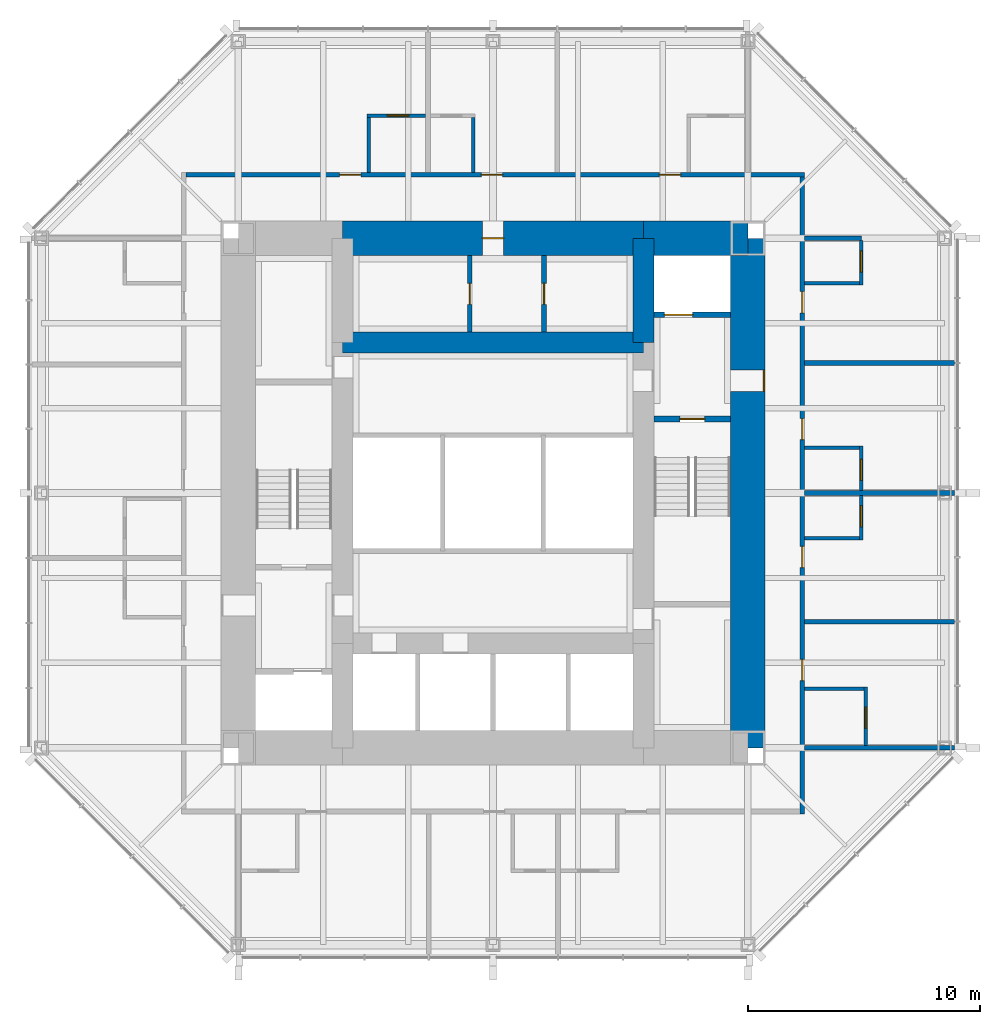
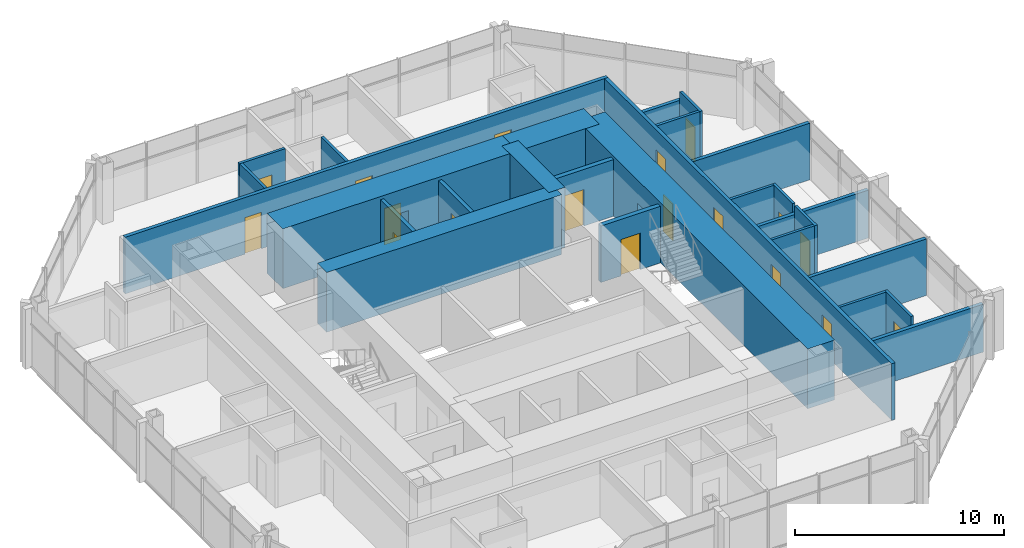
# One storey, part 9 of 11: 27 walls, 18 doors, 18 openings.
"""IFC4 building model written with IfcOpenShell, lengths in metres."""

from ifc_helpers import new_model, si_unit, direction, frame, frame_2d, origin, place, context, subcontext, project, spatial, rectangle, extrude, material, layer, layer_set, type_object, element, fill, save


model = new_model("IFC4")

# Units and contexts
model_context = context("Model", 3, precision=1e-05, world=origin(), true_north=direction((0.0, 1.0)))
body_context = subcontext(model_context, "Body", "Model", "MODEL_VIEW")
ifc_project = project(units=[si_unit("LENGTHUNIT", "METRE"), si_unit("AREAUNIT", "SQUARE_METRE"), si_unit("VOLUMEUNIT", "CUBIC_METRE"), si_unit("PLANEANGLEUNIT", "RADIAN"), si_unit("MASSUNIT", "GRAM", prefix="KILO")], contexts=[model_context])

# Site, building, storey
site_placement = place(None, origin())
site = spatial("IfcSite", under=ifc_project, at=site_placement, CompositionType="ELEMENT")
building_placement = place(site_placement, origin())
building = spatial("IfcBuilding", under=site, at=building_placement, Name="Trevanion Tower", CompositionType="ELEMENT")
storey_placement = place(building_placement, frame((0.0, 0.0, 211.699951171875)))
storey = spatial("IfcBuildingStorey", under=building, at=storey_placement, Name="L50", CompositionType="ELEMENT", Elevation=211.699951171875)

# Wall, opening, door
ifc_material_1 = material(Name="Concrete 10,000 psi", Category="concrete")
ifc_layer_1 = layer(ifc_material_1, 1.5)
ifc_layer_set_1 = layer_set([ifc_layer_1], Name="CW1 core wall 1500")
wall_type_1 = type_object("IfcWallType", Name="CW1 core wall 1500", PredefinedType="SHEAR", material=ifc_layer_set_1)
wall_1_placement = place(storey_placement, frame((11.0, -11.0, 0.0), z_axis=(0.0, 0.0, 1.0), x_axis=(0.0, 1.0, 0.0)))
wall_1 = element("IfcWall", 1, at=wall_1_placement, inside=storey, type_object=wall_type_1, Name="CW1 CE L50", PredefinedType="SHEAR", context=body_context, shape_type="SweptSolid", body=[
    extrude(rectangle(XDim=22.0, YDim=1.5, at=frame_2d((11.0, 0.0))), origin(), (0.0, 0.0, 1.0), 3.5),
])
opening_1_placement = place(wall_1_placement, frame((15.392578125, 0.0, 0.0)))
opening_1 = element("IfcOpeningElement", 2, at=opening_1_placement, cuts=wall_1, Name="Opening 50-001", PredefinedType="OPENING", context=body_context, shape_type="SweptSolid", body=[
    extrude(rectangle(XDim=0.9150390625, YDim=2.134033203125, at=frame_2d((0.45751953125, 1.06689453125))), frame((0.0, 0.760009765625, 0.0), z_axis=(0.0, -1.0, 0.0), x_axis=(1.0, 0.0, 0.0)), (0.0, 0.0, 1.0), 1.52001953125),
])
ifc_material_2 = material(Name="Hollow metal, fire rated", Category="steel")
door_type_1 = type_object("IfcDoorType", Name="D3 fire lift lobby door", OperationType="SINGLE_SWING_RIGHT", PredefinedType="DOOR", material=ifc_material_2)
door_1_placement = place(opening_1_placement, origin())
door_1 = element("IfcDoor", 3, at=door_1_placement, inside=storey, type_object=door_type_1, Name="Door 50-001", OperationType="SINGLE_SWING_RIGHT", OverallHeight=2.134033203125, OverallWidth=0.9150390625, PredefinedType="DOOR", context=body_context, shape_type="SweptSolid", body=[
    extrude(rectangle(XDim=0.9150390625, YDim=2.134033203125, at=frame_2d((0.45751953125, 1.06689453125))), frame((0.0, -0.6748046875, 0.0), z_axis=(0.0, -1.0, 0.0), x_axis=(1.0, 0.0, 0.0)), (0.0, 0.0, 1.0), 0.050048828125),
])
fill(opening_1, door_1)

# Wall
wall_2_placement = place(storey_placement, frame((11.0, 11.0, 0.0), z_axis=(0.0, 0.0, 1.0), x_axis=(-1.0, 0.0, 0.0)))
element("IfcWall", 4, at=wall_2_placement, inside=storey, type_object=wall_type_1, Name="CW1 CN1 L50", PredefinedType="SHEAR", context=body_context, shape_type="SweptSolid", body=[
    extrude(rectangle(XDim=4.5, YDim=1.5, at=frame_2d((2.25, 0.0))), origin(), (0.0, 0.0, 1.0), 3.5),
])

# Wall, opening, door
wall_3_placement = place(storey_placement, frame((6.5, 11.0, 0.0), z_axis=(0.0, 0.0, 1.0), x_axis=(-1.0, 0.0, 0.0)))
wall_3 = element("IfcWall", 5, at=wall_3_placement, inside=storey, type_object=wall_type_1, Name="CW1 CN2 L50", PredefinedType="SHEAR", context=body_context, shape_type="SweptSolid", body=[
    extrude(rectangle(XDim=13.0, YDim=1.5, at=frame_2d((6.5, 0.0))), origin(), (0.0, 0.0, 1.0), 3.5),
])
opening_2_placement = place(wall_3_placement, frame((6.04248046875, 0.0, 0.0)))
opening_2 = element("IfcOpeningElement", 6, at=opening_2_placement, cuts=wall_3, Name="Opening 50-013", PredefinedType="OPENING", context=body_context, shape_type="SweptSolid", body=[
    extrude(rectangle(XDim=0.9150390625, YDim=2.134033203125, at=frame_2d((0.45751953125, 1.06689453125))), frame((0.0, 0.760009765625, 0.0), z_axis=(0.0, -1.0, 0.0), x_axis=(1.0, 0.0, 0.0)), (0.0, 0.0, 1.0), 1.52001953125),
])
ifc_material_3 = material(Name="Hollow metal, fire rated", Category="steel")
door_type_2 = type_object("IfcDoorType", Name="D5 service room door", OperationType="SINGLE_SWING_RIGHT", PredefinedType="DOOR", material=ifc_material_3)
door_2_placement = place(opening_2_placement, origin())
door_2 = element("IfcDoor", 7, at=door_2_placement, inside=storey, type_object=door_type_2, Name="Door 50-013", OperationType="SINGLE_SWING_RIGHT", OverallHeight=2.134033203125, OverallWidth=0.9150390625, PredefinedType="DOOR", context=body_context, shape_type="SweptSolid", body=[
    extrude(rectangle(XDim=0.9150390625, YDim=2.134033203125, at=frame_2d((0.45751953125, 1.06689453125))), frame((0.0, 0.02490234375, 0.0), z_axis=(0.0, -1.0, 0.0), x_axis=(1.0, 0.0, 0.0)), (0.0, 0.0, 1.0), 0.050048828125),
])
fill(opening_2, door_2)

# Walls
ifc_material_4 = material(Name="Concrete 10,000 psi", Category="concrete")
ifc_layer_2 = layer(ifc_material_4, 0.89990234375)
ifc_layer_set_2 = layer_set([ifc_layer_2], Name="CW2 core wall 900")
wall_type_2 = type_object("IfcWallType", Name="CW2 core wall 900", PredefinedType="SHEAR", material=ifc_layer_set_2)
wall_4_placement = place(storey_placement, frame((6.5, 6.5, 0.0), z_axis=(0.0, 0.0, 1.0), x_axis=(0.0, 1.0, 0.0)))
element("IfcWall", 8, at=wall_4_placement, inside=storey, type_object=wall_type_2, Name="CW2 RE3 L50", PredefinedType="SHEAR", context=body_context, shape_type="SweptSolid", body=[
    extrude(rectangle(XDim=4.5, YDim=0.89990234375, at=frame_2d((2.25, 0.0))), origin(), (0.0, 0.0, 1.0), 3.5),
])
wall_5_placement = place(storey_placement, frame((6.5, 6.5, 0.0), z_axis=(0.0, 0.0, 1.0), x_axis=(-1.0, 0.0, 0.0)))
element("IfcWall", 9, at=wall_5_placement, inside=storey, type_object=wall_type_2, Name="CW2 RN L50", PredefinedType="SHEAR", context=body_context, shape_type="SweptSolid", body=[
    extrude(rectangle(XDim=13.0, YDim=0.89990234375, at=frame_2d((6.5, 0.0))), origin(), (0.0, 0.0, 1.0), 3.5),
])

# Wall, opening, door
ifc_material_5 = material(Name="Gypsum board on steel studs", Category="steel")
ifc_layer_3 = layer(ifc_material_5, 0.14990234375)
ifc_layer_set_3 = layer_set([ifc_layer_3], Name="PT1 partition 150")
wall_type_3 = type_object("IfcWallType", Name="PT1 partition 150", PredefinedType="PARTITIONING", material=ifc_layer_set_3)
wall_6_placement = place(storey_placement, frame((16.10009765625, -10.89990234375, 0.0), z_axis=(0.0, 0.0, 1.0), x_axis=(0.0, 1.0, 0.0)))
wall_6 = element("IfcWall", 10, at=wall_6_placement, inside=storey, type_object=wall_type_3, Name="PT1 L50 BA00", PredefinedType="PARTITIONING", context=body_context, shape_type="SweptSolid", body=[
    extrude(rectangle(XDim=2.52490234375, YDim=0.14990234375, at=frame_2d((1.262451171875, 0.0))), origin(), (0.0, 0.0, 1.0), 3.31005859375),
])
opening_3_placement = place(wall_6_placement, frame((0.742431640625, 0.0, 0.0)))
opening_3 = element("IfcOpeningElement", 11, at=opening_3_placement, cuts=wall_6, Name="Opening 50-016", PredefinedType="OPENING", context=body_context, shape_type="SweptSolid", body=[
    extrude(rectangle(XDim=0.9150390625, YDim=2.031982421875, at=frame_2d((0.45751953125, 1.01611328125))), frame((0.0, 0.0849609375, 0.0), z_axis=(0.0, -1.0, 0.0), x_axis=(1.0, 0.0, 0.0)), (0.0, 0.0, 1.0), 0.169921875),
])
ifc_material_6 = material(Name="Timber veneer", Category="wood")
door_type_3 = type_object("IfcDoorType", Name="D7 bathroom door", OperationType="SINGLE_SWING_LEFT", PredefinedType="DOOR", material=ifc_material_6)
door_3_placement = place(opening_3_placement, origin())
door_3 = element("IfcDoor", 12, at=door_3_placement, inside=storey, type_object=door_type_3, Name="Door 50-016", OperationType="SINGLE_SWING_LEFT", OverallHeight=2.031982421875, OverallWidth=0.9150390625, PredefinedType="DOOR", context=body_context, shape_type="SweptSolid", body=[
    extrude(rectangle(XDim=0.9150390625, YDim=2.031982421875, at=frame_2d((0.45751953125, 1.01611328125))), frame((0.0, 0.02490234375, 0.0), z_axis=(0.0, -1.0, 0.0), x_axis=(1.0, 0.0, 0.0)), (0.0, 0.0, 1.0), 0.050048828125),
])
fill(opening_3, door_3)

# Wall
wall_7_placement = place(storey_placement, frame((13.449951171875, -8.449951171875, 0.0), z_axis=(0.0, 0.0, 1.0), x_axis=(1.0, 0.0, 0.0)))
element("IfcWall", 13, at=wall_7_placement, inside=storey, type_object=wall_type_3, Name="PT1 L50 BB00", PredefinedType="PARTITIONING", context=body_context, shape_type="SweptSolid", body=[
    extrude(rectangle(XDim=2.574951171875, YDim=0.14990234375, at=frame_2d((1.28759765625, 0.0))), origin(), (0.0, 0.0, 1.0), 3.31005859375),
])

# Wall, opening, door
wall_8_placement = place(storey_placement, frame((15.89990234375, -2.02490234375, 0.0), z_axis=(0.0, 0.0, 1.0), x_axis=(0.0, 1.0, 0.0)))
wall_8 = element("IfcWall", 14, at=wall_8_placement, inside=storey, type_object=wall_type_3, Name="PT1 L50 BA01", PredefinedType="PARTITIONING", context=body_context, shape_type="SweptSolid", body=[
    extrude(rectangle(XDim=1.9248046875, YDim=0.14990234375, at=frame_2d((0.96240234375, 0.0))), origin(), (0.0, 0.0, 1.0), 3.31005859375),
])
opening_4_placement = place(wall_8_placement, frame((0.5673828125, 0.0, 0.0)))
opening_4 = element("IfcOpeningElement", 15, at=opening_4_placement, cuts=wall_8, Name="Opening 50-018", PredefinedType="OPENING", context=body_context, shape_type="SweptSolid", body=[
    extrude(rectangle(XDim=0.9150390625, YDim=2.031982421875, at=frame_2d((0.45751953125, 1.01611328125))), frame((0.0, 0.0849609375, 0.0), z_axis=(0.0, -1.0, 0.0), x_axis=(1.0, 0.0, 0.0)), (0.0, 0.0, 1.0), 0.169921875),
])
door_4_placement = place(opening_4_placement, origin())
door_4 = element("IfcDoor", 16, at=door_4_placement, inside=storey, type_object=door_type_3, Name="Door 50-018", OperationType="SINGLE_SWING_LEFT", OverallHeight=2.031982421875, OverallWidth=0.9150390625, PredefinedType="DOOR", context=body_context, shape_type="SweptSolid", body=[
    extrude(rectangle(XDim=0.9150390625, YDim=2.031982421875, at=frame_2d((0.45751953125, 1.01611328125))), frame((0.0, 0.02490234375, 0.0), z_axis=(0.0, -1.0, 0.0), x_axis=(1.0, 0.0, 0.0)), (0.0, 0.0, 1.0), 0.050048828125),
])
fill(opening_4, door_4)

# Wall
wall_9_placement = place(storey_placement, frame((13.449951171875, -1.949951171875, 0.0), z_axis=(0.0, 0.0, 1.0), x_axis=(1.0, 0.0, 0.0)))
element("IfcWall", 17, at=wall_9_placement, inside=storey, type_object=wall_type_3, Name="PT1 L50 BB01", PredefinedType="PARTITIONING", context=body_context, shape_type="SweptSolid", body=[
    extrude(rectangle(XDim=2.375, YDim=0.14990234375, at=frame_2d((1.1875, 0.0))), origin(), (0.0, 0.0, 1.0), 3.31005859375),
])

# Wall, opening, door
wall_10_placement = place(storey_placement, frame((15.89990234375, 0.10009765625, 0.0), z_axis=(0.0, 0.0, 1.0), x_axis=(0.0, 1.0, 0.0)))
wall_10 = element("IfcWall", 18, at=wall_10_placement, inside=storey, type_object=wall_type_3, Name="PT1 L50 BA02", PredefinedType="PARTITIONING", context=body_context, shape_type="SweptSolid", body=[
    extrude(rectangle(XDim=1.9248046875, YDim=0.14990234375, at=frame_2d((0.96240234375, 0.0))), origin(), (0.0, 0.0, 1.0), 3.31005859375),
])
opening_5_placement = place(wall_10_placement, frame((0.4423828125, 0.0, 0.0)))
opening_5 = element("IfcOpeningElement", 19, at=opening_5_placement, cuts=wall_10, Name="Opening 50-020", PredefinedType="OPENING", context=body_context, shape_type="SweptSolid", body=[
    extrude(rectangle(XDim=0.9150390625, YDim=2.031982421875, at=frame_2d((0.45751953125, 1.01611328125))), frame((0.0, 0.0849609375, 0.0), z_axis=(0.0, -1.0, 0.0), x_axis=(1.0, 0.0, 0.0)), (0.0, 0.0, 1.0), 0.169921875),
])
door_5_placement = place(opening_5_placement, origin())
door_5 = element("IfcDoor", 20, at=door_5_placement, inside=storey, type_object=door_type_3, Name="Door 50-020", OperationType="SINGLE_SWING_LEFT", OverallHeight=2.031982421875, OverallWidth=0.9150390625, PredefinedType="DOOR", context=body_context, shape_type="SweptSolid", body=[
    extrude(rectangle(XDim=0.9150390625, YDim=2.031982421875, at=frame_2d((0.45751953125, 1.01611328125))), frame((0.0, 0.02490234375, 0.0), z_axis=(0.0, -1.0, 0.0), x_axis=(1.0, 0.0, 0.0)), (0.0, 0.0, 1.0), 0.050048828125),
])
fill(opening_5, door_5)

# Wall
wall_11_placement = place(storey_placement, frame((13.449951171875, 1.949951171875, 0.0), z_axis=(0.0, 0.0, 1.0), x_axis=(1.0, 0.0, 0.0)))
element("IfcWall", 21, at=wall_11_placement, inside=storey, type_object=wall_type_3, Name="PT1 L50 BB02", PredefinedType="PARTITIONING", context=body_context, shape_type="SweptSolid", body=[
    extrude(rectangle(XDim=2.375, YDim=0.14990234375, at=frame_2d((1.1875, 0.0))), origin(), (0.0, 0.0, 1.0), 3.31005859375),
])

# Wall, opening, door
wall_12_placement = place(storey_placement, frame((15.89990234375, 8.97509765625, 0.0), z_axis=(0.0, 0.0, 1.0), x_axis=(0.0, 1.0, 0.0)))
wall_12 = element("IfcWall", 22, at=wall_12_placement, inside=storey, type_object=wall_type_3, Name="PT1 L50 BA03", PredefinedType="PARTITIONING", context=body_context, shape_type="SweptSolid", body=[
    extrude(rectangle(XDim=1.9248046875, YDim=0.14990234375, at=frame_2d((0.96240234375, 0.0))), origin(), (0.0, 0.0, 1.0), 3.31005859375),
])
opening_6_placement = place(wall_12_placement, frame((0.5673828125, 0.0, 0.0)))
opening_6 = element("IfcOpeningElement", 23, at=opening_6_placement, cuts=wall_12, Name="Opening 50-022", PredefinedType="OPENING", context=body_context, shape_type="SweptSolid", body=[
    extrude(rectangle(XDim=0.9150390625, YDim=2.031982421875, at=frame_2d((0.45751953125, 1.01611328125))), frame((0.0, 0.0849609375, 0.0), z_axis=(0.0, -1.0, 0.0), x_axis=(1.0, 0.0, 0.0)), (0.0, 0.0, 1.0), 0.169921875),
])
door_6_placement = place(opening_6_placement, origin())
door_6 = element("IfcDoor", 24, at=door_6_placement, inside=storey, type_object=door_type_3, Name="Door 50-022", OperationType="SINGLE_SWING_LEFT", OverallHeight=2.031982421875, OverallWidth=0.9150390625, PredefinedType="DOOR", context=body_context, shape_type="SweptSolid", body=[
    extrude(rectangle(XDim=0.9150390625, YDim=2.031982421875, at=frame_2d((0.45751953125, 1.01611328125))), frame((0.0, 0.02490234375, 0.0), z_axis=(0.0, -1.0, 0.0), x_axis=(1.0, 0.0, 0.0)), (0.0, 0.0, 1.0), 0.050048828125),
])
fill(opening_6, door_6)

# Walls
for number, where, z_axis, x_axis, name in (
    (25, (13.449951171875, 9.050048828125, 0.0), (0.0, 0.0, 1.0), (1.0, 0.0, 0.0), "PT1 L50 BB03"),
    (26, (-0.85693359375, 13.85009765625, 0.0), (0.0, 0.0, 1.0), (0.0, 1.0, 0.0), "PT1 L50 BB11"),
):
    element("IfcWall", number, at=place(storey_placement, frame(where, z_axis=z_axis, x_axis=x_axis)), inside=storey, type_object=wall_type_3, Name=name, PredefinedType="PARTITIONING", context=body_context, shape_type="SweptSolid", body=[
        extrude(rectangle(XDim=2.375, YDim=0.14990234375, at=frame_2d((1.1875, 0.0))), origin(), (0.0, 0.0, 1.0), 3.31005859375),
    ])

# Wall, opening, door
wall_13_placement = place(storey_placement, frame((-2.906982421875, 16.300048828125, 0.0), z_axis=(0.0, 0.0, 1.0), x_axis=(-1.0, 0.0, 0.0)))
wall_13 = element("IfcWall", 27, at=wall_13_placement, inside=storey, type_object=wall_type_3, Name="PT1 L50 BA12", PredefinedType="PARTITIONING", context=body_context, shape_type="SweptSolid", body=[
    extrude(rectangle(XDim=2.52490234375, YDim=0.14990234375, at=frame_2d((1.262451171875, 0.0))), origin(), (0.0, 0.0, 1.0), 3.31005859375),
])
opening_7_placement = place(wall_13_placement, frame((0.742431640625, 0.0, 0.0)))
opening_7 = element("IfcOpeningElement", 28, at=opening_7_placement, cuts=wall_13, Name="Opening 50-028", PredefinedType="OPENING", context=body_context, shape_type="SweptSolid", body=[
    extrude(rectangle(XDim=0.9150390625, YDim=2.031982421875, at=frame_2d((0.45751953125, 1.01611328125))), frame((0.0, 0.0849609375, 0.0), z_axis=(0.0, -1.0, 0.0), x_axis=(1.0, 0.0, 0.0)), (0.0, 0.0, 1.0), 0.169921875),
])
door_7_placement = place(opening_7_placement, origin())
door_7 = element("IfcDoor", 29, at=door_7_placement, inside=storey, type_object=door_type_3, Name="Door 50-028", OperationType="SINGLE_SWING_LEFT", OverallHeight=2.031982421875, OverallWidth=0.9150390625, PredefinedType="DOOR", context=body_context, shape_type="SweptSolid", body=[
    extrude(rectangle(XDim=0.9150390625, YDim=2.031982421875, at=frame_2d((0.45751953125, 1.01611328125))), frame((0.0, 0.02490234375, 0.0), z_axis=(0.0, -1.0, 0.0), x_axis=(1.0, 0.0, 0.0)), (0.0, 0.0, 1.0), 0.050048828125),
])
fill(opening_7, door_7)

# Wall
wall_14_placement = place(storey_placement, frame((-5.35693359375, 13.85009765625, 0.0), z_axis=(0.0, 0.0, 1.0), x_axis=(0.0, 1.0, 0.0)))
element("IfcWall", 30, at=wall_14_placement, inside=storey, type_object=wall_type_3, Name="PT1 L50 BB12", PredefinedType="PARTITIONING", context=body_context, shape_type="SweptSolid", body=[
    extrude(rectangle(XDim=2.375, YDim=0.14990234375, at=frame_2d((1.1875, 0.0))), origin(), (0.0, 0.0, 1.0), 3.31005859375),
])

# Wall, opening, door
ifc_material_7 = material(Name="Concrete masonry, grouted", Category="masonry")
ifc_layer_4 = layer(ifc_material_7, 0.199951171875)
ifc_layer_set_4 = layer_set([ifc_layer_4], Name="PT2 partition 200 1 HR")
wall_type_4 = type_object("IfcWallType", Name="PT2 partition 200 1 HR", PredefinedType="PARTITIONING", material=ifc_layer_set_4)
wall_15_placement = place(storey_placement, frame((-1.0, 6.949951171875, 0.0), z_axis=(0.0, 0.0, 1.0), x_axis=(0.0, 1.0, 0.0)))
wall_15 = element("IfcWall", 31, at=wall_15_placement, inside=storey, type_object=wall_type_4, Name="PT2 L50 HKP1", PredefinedType="PARTITIONING", context=body_context, shape_type="SweptSolid", body=[
    extrude(rectangle(XDim=3.300048828125, YDim=0.199951171875, at=frame_2d((1.64990234375, 0.0))), origin(), (0.0, 0.0, 1.0), 3.31005859375),
])
opening_8_placement = place(wall_15_placement, frame((1.1923828125, 0.0, 0.0)))
opening_8 = element("IfcOpeningElement", 32, at=opening_8_placement, cuts=wall_15, Name="Opening 50-014", PredefinedType="OPENING", context=body_context, shape_type="SweptSolid", body=[
    extrude(rectangle(XDim=0.9150390625, YDim=2.134033203125, at=frame_2d((0.45751953125, 1.06689453125))), frame((0.0, 0.10986328125, 0.0), z_axis=(0.0, -1.0, 0.0), x_axis=(1.0, 0.0, 0.0)), (0.0, 0.0, 1.0), 0.219970703125),
])
door_8_placement = place(opening_8_placement, origin())
door_8 = element("IfcDoor", 33, at=door_8_placement, inside=storey, type_object=door_type_2, Name="Door 50-014", OperationType="SINGLE_SWING_RIGHT", OverallHeight=2.134033203125, OverallWidth=0.9150390625, PredefinedType="DOOR", context=body_context, shape_type="SweptSolid", body=[
    extrude(rectangle(XDim=0.9150390625, YDim=2.134033203125, at=frame_2d((0.45751953125, 1.06689453125))), frame((0.0, 0.02490234375, 0.0), z_axis=(0.0, -1.0, 0.0), x_axis=(1.0, 0.0, 0.0)), (0.0, 0.0, 1.0), 0.050048828125),
])
fill(opening_8, door_8)

wall_16_placement = place(storey_placement, frame((2.199951171875, 6.949951171875, 0.0), z_axis=(0.0, 0.0, 1.0), x_axis=(0.0, 1.0, 0.0)))
wall_16 = element("IfcWall", 34, at=wall_16_placement, inside=storey, type_object=wall_type_4, Name="PT2 L50 HKP2", PredefinedType="PARTITIONING", context=body_context, shape_type="SweptSolid", body=[
    extrude(rectangle(XDim=3.300048828125, YDim=0.199951171875, at=frame_2d((1.64990234375, 0.0))), origin(), (0.0, 0.0, 1.0), 3.31005859375),
])
opening_9_placement = place(wall_16_placement, frame((1.1923828125, 0.0, 0.0)))
opening_9 = element("IfcOpeningElement", 35, at=opening_9_placement, cuts=wall_16, Name="Opening 50-015", PredefinedType="OPENING", context=body_context, shape_type="SweptSolid", body=[
    extrude(rectangle(XDim=0.9150390625, YDim=2.134033203125, at=frame_2d((0.45751953125, 1.06689453125))), frame((0.0, 0.10986328125, 0.0), z_axis=(0.0, -1.0, 0.0), x_axis=(1.0, 0.0, 0.0)), (0.0, 0.0, 1.0), 0.219970703125),
])
door_9_placement = place(opening_9_placement, origin())
door_9 = element("IfcDoor", 36, at=door_9_placement, inside=storey, type_object=door_type_2, Name="Door 50-015", OperationType="SINGLE_SWING_RIGHT", OverallHeight=2.134033203125, OverallWidth=0.9150390625, PredefinedType="DOOR", context=body_context, shape_type="SweptSolid", body=[
    extrude(rectangle(XDim=0.9150390625, YDim=2.134033203125, at=frame_2d((0.45751953125, 1.06689453125))), frame((0.0, 0.02490234375, 0.0), z_axis=(0.0, -1.0, 0.0), x_axis=(1.0, 0.0, 0.0)), (0.0, 0.0, 1.0), 0.050048828125),
])
fill(opening_9, door_9)

# Wall, openings, doors
wall_17_placement = place(storey_placement, frame((13.35009765625, -13.85009765625, 0.0), z_axis=(0.0, 0.0, 1.0), x_axis=(0.0, 1.0, 0.0)))
wall_17 = element("IfcWall", 37, at=wall_17_placement, inside=storey, type_object=wall_type_4, Name="PT2 L50 HC0", PredefinedType="PARTITIONING", context=body_context, shape_type="SweptSolid", body=[
    extrude(rectangle(XDim=27.5, YDim=0.199951171875, at=frame_2d((13.75, 0.0))), origin(), (0.0, 0.0, 1.0), 3.31005859375),
])
opening_10_placement = place(wall_17_placement, frame((5.75244140625, 0.0, 0.0)))
opening_10 = element("IfcOpeningElement", 38, at=opening_10_placement, cuts=wall_17, Name="Opening 50-017", PredefinedType="OPENING", context=body_context, shape_type="SweptSolid", body=[
    extrude(rectangle(XDim=0.9150390625, YDim=2.134033203125, at=frame_2d((0.45751953125, 1.06689453125))), frame((0.0, 0.10986328125, 0.0), z_axis=(0.0, -1.0, 0.0), x_axis=(1.0, 0.0, 0.0)), (0.0, 0.0, 1.0), 0.219970703125),
])
opening_11_placement = place(wall_17_placement, frame((10.632568359375, 0.0, 0.0)))
opening_11 = element("IfcOpeningElement", 39, at=opening_11_placement, cuts=wall_17, Name="Opening 50-019", PredefinedType="OPENING", context=body_context, shape_type="SweptSolid", body=[
    extrude(rectangle(XDim=0.9150390625, YDim=2.134033203125, at=frame_2d((0.45751953125, 1.06689453125))), frame((0.0, 0.10986328125, 0.0), z_axis=(0.0, -1.0, 0.0), x_axis=(1.0, 0.0, 0.0)), (0.0, 0.0, 1.0), 0.219970703125),
])
opening_12_placement = place(wall_17_placement, frame((16.152587890625, 0.0, 0.0)))
opening_12 = element("IfcOpeningElement", 40, at=opening_12_placement, cuts=wall_17, Name="Opening 50-021", PredefinedType="OPENING", context=body_context, shape_type="SweptSolid", body=[
    extrude(rectangle(XDim=0.9150390625, YDim=2.134033203125, at=frame_2d((0.45751953125, 1.06689453125))), frame((0.0, 0.10986328125, 0.0), z_axis=(0.0, -1.0, 0.0), x_axis=(1.0, 0.0, 0.0)), (0.0, 0.0, 1.0), 0.219970703125),
])
opening_13_placement = place(wall_17_placement, frame((21.632568359375, 0.0, 0.0)))
opening_13 = element("IfcOpeningElement", 41, at=opening_13_placement, cuts=wall_17, Name="Opening 50-023", PredefinedType="OPENING", context=body_context, shape_type="SweptSolid", body=[
    extrude(rectangle(XDim=0.9150390625, YDim=2.134033203125, at=frame_2d((0.45751953125, 1.06689453125))), frame((0.0, 0.10986328125, 0.0), z_axis=(0.0, -1.0, 0.0), x_axis=(1.0, 0.0, 0.0)), (0.0, 0.0, 1.0), 0.219970703125),
])
ifc_material_8 = material(Name="Timber veneer, fire rated", Category="wood")
door_type_4 = type_object("IfcDoorType", Name="D6 guest room entrance door", OperationType="SINGLE_SWING_LEFT", PredefinedType="DOOR", material=ifc_material_8)
door_10_placement = place(opening_10_placement, origin())
door_10 = element("IfcDoor", 42, at=door_10_placement, inside=storey, type_object=door_type_4, Name="Door 50-017", OperationType="SINGLE_SWING_LEFT", OverallHeight=2.134033203125, OverallWidth=0.9150390625, PredefinedType="DOOR", context=body_context, shape_type="SweptSolid", body=[
    extrude(rectangle(XDim=0.9150390625, YDim=2.134033203125, at=frame_2d((0.45751953125, 1.06689453125))), frame((0.0, 0.02490234375, 0.0), z_axis=(0.0, -1.0, 0.0), x_axis=(1.0, 0.0, 0.0)), (0.0, 0.0, 1.0), 0.050048828125),
])
fill(opening_10, door_10)
door_11_placement = place(opening_11_placement, origin())
door_11 = element("IfcDoor", 43, at=door_11_placement, inside=storey, type_object=door_type_4, Name="Door 50-019", OperationType="SINGLE_SWING_LEFT", OverallHeight=2.134033203125, OverallWidth=0.9150390625, PredefinedType="DOOR", context=body_context, shape_type="SweptSolid", body=[
    extrude(rectangle(XDim=0.9150390625, YDim=2.134033203125, at=frame_2d((0.45751953125, 1.06689453125))), frame((0.0, 0.02490234375, 0.0), z_axis=(0.0, -1.0, 0.0), x_axis=(1.0, 0.0, 0.0)), (0.0, 0.0, 1.0), 0.050048828125),
])
fill(opening_11, door_11)
door_12_placement = place(opening_12_placement, origin())
door_12 = element("IfcDoor", 44, at=door_12_placement, inside=storey, type_object=door_type_4, Name="Door 50-021", OperationType="SINGLE_SWING_LEFT", OverallHeight=2.134033203125, OverallWidth=0.9150390625, PredefinedType="DOOR", context=body_context, shape_type="SweptSolid", body=[
    extrude(rectangle(XDim=0.9150390625, YDim=2.134033203125, at=frame_2d((0.45751953125, 1.06689453125))), frame((0.0, 0.02490234375, 0.0), z_axis=(0.0, -1.0, 0.0), x_axis=(1.0, 0.0, 0.0)), (0.0, 0.0, 1.0), 0.050048828125),
])
fill(opening_12, door_12)
door_13_placement = place(opening_13_placement, origin())
door_13 = element("IfcDoor", 45, at=door_13_placement, inside=storey, type_object=door_type_4, Name="Door 50-023", OperationType="SINGLE_SWING_LEFT", OverallHeight=2.134033203125, OverallWidth=0.9150390625, PredefinedType="DOOR", context=body_context, shape_type="SweptSolid", body=[
    extrude(rectangle(XDim=0.9150390625, YDim=2.134033203125, at=frame_2d((0.45751953125, 1.06689453125))), frame((0.0, 0.02490234375, 0.0), z_axis=(0.0, -1.0, 0.0), x_axis=(1.0, 0.0, 0.0)), (0.0, 0.0, 1.0), 0.050048828125),
])
fill(opening_13, door_13)

wall_18_placement = place(storey_placement, frame((13.449951171875, 13.75, 0.0), z_axis=(0.0, 0.0, 1.0), x_axis=(-1.0, 0.0, 0.0)))
wall_18 = element("IfcWall", 46, at=wall_18_placement, inside=storey, type_object=wall_type_4, Name="PT2 L50 HC1", PredefinedType="PARTITIONING", context=body_context, shape_type="SweptSolid", body=[
    extrude(rectangle(XDim=26.699951171875, YDim=0.199951171875, at=frame_2d((13.35009765625, 0.0))), origin(), (0.0, 0.0, 1.0), 3.31005859375),
])
opening_14_placement = place(wall_18_placement, frame((5.3525390625, 0.0, 0.0)))
opening_14 = element("IfcOpeningElement", 47, at=opening_14_placement, cuts=wall_18, Name="Opening 50-025", PredefinedType="OPENING", context=body_context, shape_type="SweptSolid", body=[
    extrude(rectangle(XDim=0.9150390625, YDim=2.134033203125, at=frame_2d((0.45751953125, 1.06689453125))), frame((0.0, 0.10986328125, 0.0), z_axis=(0.0, -1.0, 0.0), x_axis=(1.0, 0.0, 0.0)), (0.0, 0.0, 1.0), 0.219970703125),
])
opening_15_placement = place(wall_18_placement, frame((13.03955078125, 0.0, 0.0)))
opening_15 = element("IfcOpeningElement", 48, at=opening_15_placement, cuts=wall_18, Name="Opening 50-027", PredefinedType="OPENING", context=body_context, shape_type="SweptSolid", body=[
    extrude(rectangle(XDim=0.9150390625, YDim=2.134033203125, at=frame_2d((0.45751953125, 1.06689453125))), frame((0.0, 0.10986328125, 0.0), z_axis=(0.0, -1.0, 0.0), x_axis=(1.0, 0.0, 0.0)), (0.0, 0.0, 1.0), 0.219970703125),
])
opening_16_placement = place(wall_18_placement, frame((19.159423828125, 0.0, 0.0)))
opening_16 = element("IfcOpeningElement", 49, at=opening_16_placement, cuts=wall_18, Name="Opening 50-029", PredefinedType="OPENING", context=body_context, shape_type="SweptSolid", body=[
    extrude(rectangle(XDim=0.9150390625, YDim=2.134033203125, at=frame_2d((0.45751953125, 1.06689453125))), frame((0.0, 0.10986328125, 0.0), z_axis=(0.0, -1.0, 0.0), x_axis=(1.0, 0.0, 0.0)), (0.0, 0.0, 1.0), 0.219970703125),
])
door_14_placement = place(opening_14_placement, origin())
door_14 = element("IfcDoor", 50, at=door_14_placement, inside=storey, type_object=door_type_4, Name="Door 50-025", OperationType="SINGLE_SWING_LEFT", OverallHeight=2.134033203125, OverallWidth=0.9150390625, PredefinedType="DOOR", context=body_context, shape_type="SweptSolid", body=[
    extrude(rectangle(XDim=0.9150390625, YDim=2.134033203125, at=frame_2d((0.45751953125, 1.06689453125))), frame((0.0, 0.02490234375, 0.0), z_axis=(0.0, -1.0, 0.0), x_axis=(1.0, 0.0, 0.0)), (0.0, 0.0, 1.0), 0.050048828125),
])
fill(opening_14, door_14)
door_15_placement = place(opening_15_placement, origin())
door_15 = element("IfcDoor", 51, at=door_15_placement, inside=storey, type_object=door_type_4, Name="Door 50-027", OperationType="SINGLE_SWING_LEFT", OverallHeight=2.134033203125, OverallWidth=0.9150390625, PredefinedType="DOOR", context=body_context, shape_type="SweptSolid", body=[
    extrude(rectangle(XDim=0.9150390625, YDim=2.134033203125, at=frame_2d((0.45751953125, 1.06689453125))), frame((0.0, 0.02490234375, 0.0), z_axis=(0.0, -1.0, 0.0), x_axis=(1.0, 0.0, 0.0)), (0.0, 0.0, 1.0), 0.050048828125),
])
fill(opening_15, door_15)
door_16_placement = place(opening_16_placement, origin())
door_16 = element("IfcDoor", 52, at=door_16_placement, inside=storey, type_object=door_type_4, Name="Door 50-029", OperationType="SINGLE_SWING_LEFT", OverallHeight=2.134033203125, OverallWidth=0.9150390625, PredefinedType="DOOR", context=body_context, shape_type="SweptSolid", body=[
    extrude(rectangle(XDim=0.9150390625, YDim=2.134033203125, at=frame_2d((0.45751953125, 1.06689453125))), frame((0.0, 0.02490234375, 0.0), z_axis=(0.0, -1.0, 0.0), x_axis=(1.0, 0.0, 0.0)), (0.0, 0.0, 1.0), 0.050048828125),
])
fill(opening_16, door_16)

# Walls
wall_19_placement = place(storey_placement, frame((13.449951171875, -11.0, 0.0), z_axis=(0.0, 0.0, 1.0), x_axis=(1.0, 0.0, 0.0)))
element("IfcWall", 53, at=wall_19_placement, inside=storey, type_object=wall_type_4, Name="PT2 L50 HD00", PredefinedType="PARTITIONING", context=body_context, shape_type="SweptSolid", body=[
    extrude(rectangle(XDim=6.465087890625, YDim=0.199951171875, at=frame_2d((3.232421875, 0.0))), origin(), (0.0, 0.0, 1.0), 2.802001953125),
])
wall_20_placement = place(storey_placement, frame((13.449951171875, -5.549072265625, 0.0), z_axis=(0.0, 0.0, 1.0), x_axis=(1.0, 0.0, 0.0)))
element("IfcWall", 54, at=wall_20_placement, inside=storey, type_object=wall_type_4, Name="PT2 L50 HD01", PredefinedType="PARTITIONING", context=body_context, shape_type="SweptSolid", body=[
    extrude(rectangle(XDim=6.465087890625, YDim=0.199951171875, at=frame_2d((3.232421875, 0.0))), origin(), (0.0, 0.0, 1.0), 3.31005859375),
])
wall_21_placement = place(storey_placement, frame((13.449951171875, 0.0, 0.0), z_axis=(0.0, 0.0, 1.0), x_axis=(1.0, 0.0, 0.0)))
element("IfcWall", 55, at=wall_21_placement, inside=storey, type_object=wall_type_4, Name="PT2 L50 HD02", PredefinedType="PARTITIONING", context=body_context, shape_type="SweptSolid", body=[
    extrude(rectangle(XDim=6.465087890625, YDim=0.199951171875, at=frame_2d((3.232421875, 0.0))), origin(), (0.0, 0.0, 1.0), 2.802001953125),
])
wall_22_placement = place(storey_placement, frame((13.449951171875, 5.614013671875, 0.0), z_axis=(0.0, 0.0, 1.0), x_axis=(1.0, 0.0, 0.0)))
element("IfcWall", 56, at=wall_22_placement, inside=storey, type_object=wall_type_4, Name="PT2 L50 HD03", PredefinedType="PARTITIONING", context=body_context, shape_type="SweptSolid", body=[
    extrude(rectangle(XDim=6.465087890625, YDim=0.199951171875, at=frame_2d((3.232421875, 0.0))), origin(), (0.0, 0.0, 1.0), 3.31005859375),
])
wall_23_placement = place(storey_placement, frame((13.449951171875, 11.0, 0.0), z_axis=(0.0, 0.0, 1.0), x_axis=(1.0, 0.0, 0.0)))
element("IfcWall", 57, at=wall_23_placement, inside=storey, type_object=wall_type_4, Name="PT2 L50 BC03", PredefinedType="PARTITIONING", context=body_context, shape_type="SweptSolid", body=[
    extrude(rectangle(XDim=2.449951171875, YDim=0.199951171875, at=frame_2d((1.22509765625, 0.0))), origin(), (0.0, 0.0, 1.0), 2.802001953125),
])

# Wall, opening, door
ifc_material_9 = material(Name="Concrete masonry, grouted, two-hour", Category="masonry")
ifc_layer_5 = layer(ifc_material_9, 0.25)
ifc_layer_set_5 = layer_set([ifc_layer_5], Name="PT3 partition 250 2 HR")
wall_type_5 = type_object("IfcWallType", Name="PT3 partition 250 2 HR", PredefinedType="PARTITIONING", material=ifc_layer_set_5)
wall_24_placement = place(storey_placement, frame((6.949951171875, 7.699951171875, 0.0), z_axis=(0.0, 0.0, 1.0), x_axis=(1.0, 0.0, 0.0)))
wall_24 = element("IfcWall", 58, at=wall_24_placement, inside=storey, type_object=wall_type_5, Name="PT3 L50 EP3", PredefinedType="PARTITIONING", context=body_context, shape_type="SweptSolid", body=[
    extrude(rectangle(XDim=3.300048828125, YDim=0.25, at=frame_2d((1.64990234375, 0.0))), origin(), (0.0, 0.0, 1.0), 3.31005859375),
])
opening_17_placement = place(wall_24_placement, frame((0.449951171875, 0.0, 0.0)))
opening_17 = element("IfcOpeningElement", 59, at=opening_17_placement, cuts=wall_24, Name="Opening 50-007", PredefinedType="OPENING", context=body_context, shape_type="SweptSolid", body=[
    extrude(rectangle(XDim=1.218994140625, YDim=2.134033203125, at=frame_2d((0.609375, 1.06689453125))), frame((0.0, 0.135009765625, 0.0), z_axis=(0.0, -1.0, 0.0), x_axis=(1.0, 0.0, 0.0)), (0.0, 0.0, 1.0), 0.27001953125),
])
ifc_material_10 = material(Name="Stainless steel, fire rated", Category="steel")
door_type_5 = type_object("IfcDoorType", Name="LD2 fire service lift landing door", OperationType="SLIDING_TO_LEFT", PredefinedType="DOOR", material=ifc_material_10)
door_17_placement = place(opening_17_placement, origin())
door_17 = element("IfcDoor", 60, at=door_17_placement, inside=storey, type_object=door_type_5, Name="Door 50-007", OperationType="SLIDING_TO_LEFT", OverallHeight=2.134033203125, OverallWidth=1.218994140625, PredefinedType="DOOR", context=body_context, shape_type="SweptSolid", body=[
    extrude(rectangle(XDim=1.218994140625, YDim=2.134033203125, at=frame_2d((0.609375, 1.06689453125))), frame((0.0, 0.02490234375, 0.0), z_axis=(0.0, -1.0, 0.0), x_axis=(1.0, 0.0, 0.0)), (0.0, 0.0, 1.0), 0.050048828125),
])
fill(opening_17, door_17)

ifc_material_11 = material(Name="Reinforced masonry, fully grouted", Category="masonry")
ifc_layer_6 = layer(ifc_material_11, 0.25)
ifc_layer_set_6 = layer_set([ifc_layer_6], Name="SW1 stair shaft wall 250")
wall_type_6 = type_object("IfcWallType", Name="SW1 stair shaft wall 250", PredefinedType="SOLIDWALL", material=ifc_layer_set_6)
wall_25_placement = place(storey_placement, frame((6.949951171875, 3.199951171875, 0.0), z_axis=(0.0, 0.0, 1.0), x_axis=(1.0, 0.0, 0.0)))
wall_25 = element("IfcWall", 61, at=wall_25_placement, inside=storey, type_object=wall_type_6, Name="SW1 L50 EP2", PredefinedType="SOLIDWALL", context=body_context, shape_type="SweptSolid", body=[
    extrude(rectangle(XDim=3.300048828125, YDim=0.25, at=frame_2d((1.64990234375, 0.0))), origin(), (0.0, 0.0, 1.0), 3.31005859375),
])
opening_18_placement = place(wall_25_placement, frame((1.116455078125, 0.0, 0.0)))
opening_18 = element("IfcOpeningElement", 62, at=opening_18_placement, cuts=wall_25, Name="Opening 50-005", PredefinedType="OPENING", context=body_context, shape_type="SweptSolid", body=[
    extrude(rectangle(XDim=1.06689453125, YDim=2.134033203125, at=frame_2d((0.533447265625, 1.06689453125))), frame((0.0, 0.135009765625, 0.0), z_axis=(0.0, -1.0, 0.0), x_axis=(1.0, 0.0, 0.0)), (0.0, 0.0, 1.0), 0.27001953125),
])
ifc_material_12 = material(Name="Hollow metal, fire rated", Category="steel")
door_type_6 = type_object("IfcDoorType", Name="D2 exit stair door", OperationType="SINGLE_SWING_LEFT", PredefinedType="DOOR", material=ifc_material_12)
door_18_placement = place(opening_18_placement, origin())
door_18 = element("IfcDoor", 63, at=door_18_placement, inside=storey, type_object=door_type_6, Name="Door 50-005", OperationType="SINGLE_SWING_LEFT", OverallHeight=2.134033203125, OverallWidth=1.06689453125, PredefinedType="DOOR", context=body_context, shape_type="SweptSolid", body=[
    extrude(rectangle(XDim=1.06689453125, YDim=2.134033203125, at=frame_2d((0.533447265625, 1.06689453125))), frame((0.0, 0.02490234375, 0.0), z_axis=(0.0, -1.0, 0.0), x_axis=(1.0, 0.0, 0.0)), (0.0, 0.0, 1.0), 0.050048828125),
])
fill(opening_18, door_18)

save(model, "model.ifc")
